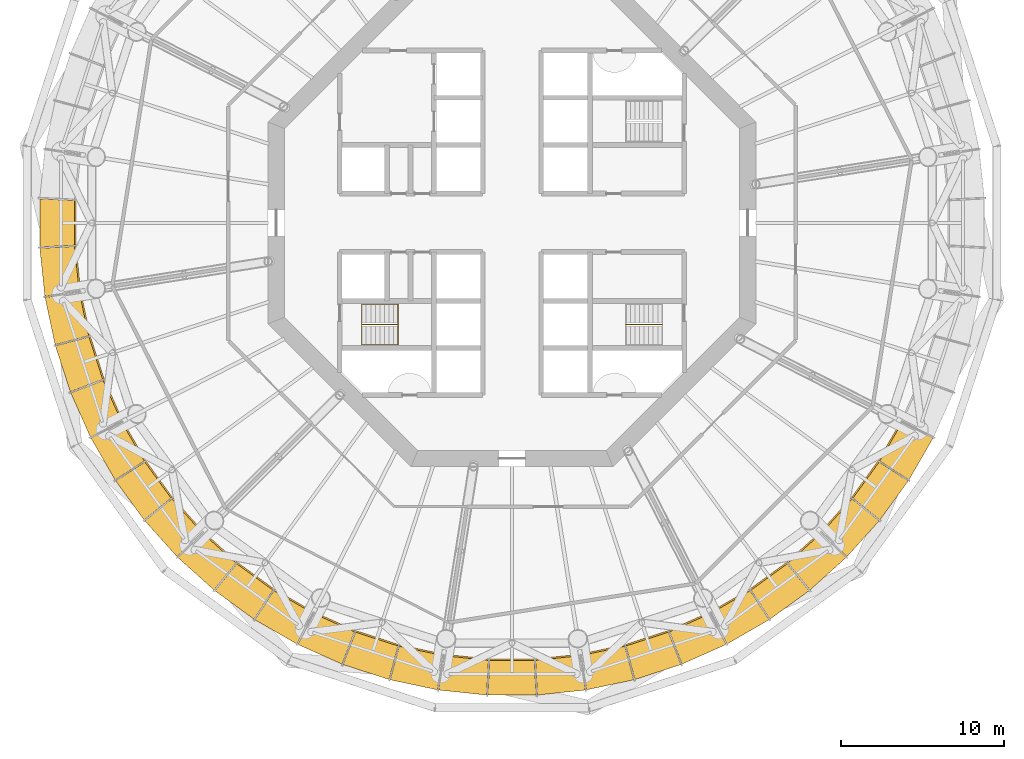
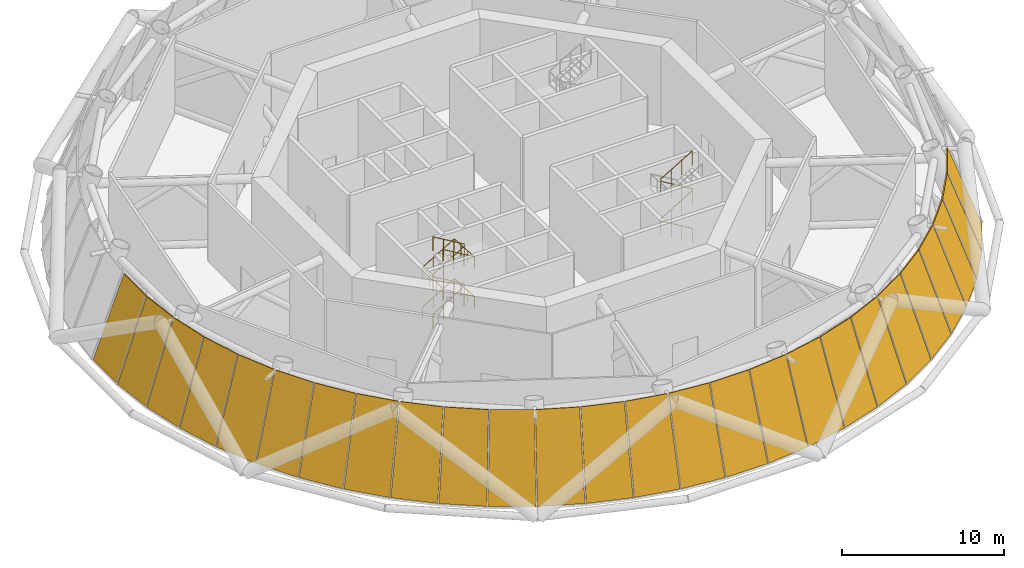
# One storey, part 13 of 15: 26 shading devices, 3 railings.
"""IFC4 building model written with IfcOpenShell, lengths in metres."""

import ifcopenshell
import ifcopenshell.guid

model = None  # the IFC model being written
_history = None  # IfcOwnerHistory: only IFC2X3 demands one
_inside = {}  # id of a spatial element -> (the spatial element, [elements in it])
_under = {}  # id of a project, library or spatial element -> (it, [spatial elements below it])
_declared = {}  # id of a project -> (the project, [libraries it declares])
_typed = {}  # id of a type object -> (the type object, [elements of that type])
_made_of = {}  # id of a material, layer set ... -> (it, [elements and type objects made of it])


def new_model(schema):
    """Start an empty IFC model of exactly this schema.

    Asked for "IFC4X3", IfcOpenShell would pick the latest addendum, in which some entities
    have other attributes; the version numbers below select the first issue.
    IFC2X3 requires an IfcOwnerHistory on every rooted entity: one is made here for all.
    """
    global model, _history
    if schema == "IFC4X3":
        model = ifcopenshell.file(schema_version=(4, 3, 0, 0))
    else:
        model = ifcopenshell.file(schema=schema)
    _inside.clear()
    _under.clear()
    _declared.clear()
    _typed.clear()
    _made_of.clear()
    _history = None
    if model.schema == "IFC2X3":
        org = make("IfcOrganization", Name="unknown")
        user = make(
            "IfcPersonAndOrganization",
            ThePerson=make("IfcPerson", FamilyName="unknown"),
            TheOrganization=org,
        )
        app = make(
            "IfcApplication",
            ApplicationDeveloper=org,
            Version="unknown",
            ApplicationFullName="unknown",
            ApplicationIdentifier="unknown",
        )
        _history = make(
            "IfcOwnerHistory",
            OwningUser=user,
            OwningApplication=app,
            ChangeAction="ADDED",
            CreationDate=0,
        )
    return model


def make(cls, **values):
    """One entity of the class cls with the attributes given. An attribute that is None is left unset."""
    return model.create_entity(
        cls, **{name: value for name, value in values.items() if value is not None}
    )


def rooted(cls, **values):
    """An entity with a GlobalId (a new one), such as an element, a storey or a relation."""
    return make(cls, GlobalId=ifcopenshell.guid.new(), OwnerHistory=_history, **values)


def si_unit(unit_type, name, prefix=None):
    """IfcSIUnit, for example si_unit("LENGTHUNIT", "METRE", prefix="MILLI")."""
    return make("IfcSIUnit", UnitType=unit_type, Prefix=prefix, Name=name)


def assignment(units):
    """IfcUnitAssignment: the units of a project."""
    return None if units is None else make("IfcUnitAssignment", Units=units)


def point(xyz):
    """IfcCartesianPoint."""
    return None if xyz is None else make("IfcCartesianPoint", Coordinates=xyz)


def direction(xyz):
    """IfcDirection."""
    return None if xyz is None else make("IfcDirection", DirectionRatios=xyz)


def frame(location, z_axis=None, x_axis=None):
    """IfcAxis2Placement3D, a coordinate frame: its origin and axes. An axis left out is left unset."""
    return make(
        "IfcAxis2Placement3D",
        Location=point(location),
        Axis=direction(z_axis),
        RefDirection=direction(x_axis),
    )


def frame_2d(location, x_axis=None):
    """IfcAxis2Placement2D, a coordinate frame in the plane: its origin and x axis."""
    return make(
        "IfcAxis2Placement2D", Location=point(location), RefDirection=direction(x_axis)
    )


def origin():
    """The frame at (0, 0, 0) with its axes left unset."""
    return frame((0.0, 0.0, 0.0))


def origin_2d():
    """The frame at (0, 0) in the plane with its x axis left unset."""
    return frame_2d((0.0, 0.0))


def place(relative_to, where):
    """IfcLocalPlacement: puts the frame where relative to a parent placement (None: the world)."""
    return make(
        "IfcLocalPlacement", PlacementRelTo=relative_to, RelativePlacement=where
    )


def context(
    kind, dimensions, precision=None, world=None, true_north=None, identifier=None
):
    """IfcGeometricRepresentationContext, for example the 3D "Model" context."""
    return make(
        "IfcGeometricRepresentationContext",
        ContextIdentifier=identifier,
        ContextType=kind,
        CoordinateSpaceDimension=dimensions,
        Precision=precision,
        WorldCoordinateSystem=world,
        TrueNorth=true_north,
    )


def subcontext(parent, identifier, kind, view, scale=None):
    """IfcGeometricRepresentationSubContext, for example "Body" below "Model"."""
    return make(
        "IfcGeometricRepresentationSubContext",
        ContextIdentifier=identifier,
        ContextType=kind,
        ParentContext=parent,
        TargetScale=scale,
        TargetView=view,
    )


def project(units=None, contexts=None):
    """IfcProject with its units and contexts."""
    return rooted(
        "IfcProject",
        Name="project",
        RepresentationContexts=contexts,
        UnitsInContext=assignment(units),
    )


def spatial(cls, under=None, at=None, **own):
    """A site, building, storey or space (cls), placed at a placement, below another one or the project."""
    s = rooted(cls, ObjectPlacement=at, **own)
    if under is not None:
        _under.setdefault(under.id(), (under, []))[1].append(s)
    return s


def polyline(points):
    """IfcPolyline through the points."""
    return make("IfcPolyline", Points=[point(p) for p in points])


def profile(cls, at=None, kind="AREA", **sizes):
    """A parametric profile (cls). Its sizes go by their IFC names, for example OverallWidth=200.0."""
    return make(cls, ProfileType=kind, Position=at, **sizes)


def circle(**sizes):
    """IfcCircleProfileDef."""
    return profile("IfcCircleProfileDef", **sizes)


def outline(outer, holes=None, kind="AREA"):
    """IfcArbitraryClosedProfileDef: a profile drawn as a closed curve; with holes, ...WithVoids."""
    if holes is None:
        return make("IfcArbitraryClosedProfileDef", ProfileType=kind, OuterCurve=outer)
    return make(
        "IfcArbitraryProfileDefWithVoids",
        ProfileType=kind,
        OuterCurve=outer,
        InnerCurves=holes,
    )


def extrude(swept, where, along, depth):
    """IfcExtrudedAreaSolid: the profile swept, set in the frame where, extruded along a direction by depth."""
    return make(
        "IfcExtrudedAreaSolid",
        SweptArea=swept,
        Position=where,
        ExtrudedDirection=direction(along),
        Depth=depth,
    )


def shape(context_of_items, identifier, shape_type, items):
    """IfcShapeRepresentation: the items that make up one representation, for example the "Body"."""
    return make(
        "IfcShapeRepresentation",
        ContextOfItems=context_of_items,
        RepresentationIdentifier=identifier,
        RepresentationType=shape_type,
        Items=items,
    )


def material(Name=None, Category=None):
    """IfcMaterial."""
    return make("IfcMaterial", Name=Name, Category=Category)


def layer(
    of_material, thickness, ventilated=None, Name=None, Category=None, Priority=None
):
    """IfcMaterialLayer: one layer of a wall or slab, of a material (None: an air gap)."""
    return make(
        "IfcMaterialLayer",
        Material=of_material,
        LayerThickness=thickness,
        IsVentilated=ventilated,
        Name=Name,
        Category=Category,
        Priority=Priority,
    )


def layer_set(layers, Name=None):
    """IfcMaterialLayerSet."""
    return make("IfcMaterialLayerSet", MaterialLayers=layers, LayerSetName=Name)


def made_of(thing, what):
    """Note that an element or type object is made of a material, layer set ...; save() writes the relation."""
    if what is not None:
        _made_of.setdefault(what.id(), (what, []))[1].append(thing)
    return thing


def type_object(cls, material=None, **own):
    """A type object (cls), such as IfcWallType, which elements share."""
    return made_of(rooted(cls, **own), material)


def element(
    cls,
    number,
    at=None,
    inside=None,
    cuts=None,
    type_object=None,
    material=None,
    context=None,
    identifier="Body",
    shape_type=None,
    held_by="IfcProductDefinitionShape",
    body=None,
    shapes=None,
    **own,
):
    """One element of the class cls, such as IfcWall. Its Tag is "e" and its number.

    at: its placement. inside: the storey or other place that contains it. cuts: it is an
    opening in that element (IfcRelVoidsElement). A single representation is given by context,
    identifier, shape_type and body (its items); several are given by shapes. held_by: the class
    of the entity that holds the representations. save() writes the other relations.
    """
    e = rooted(cls, Tag="e%d" % number, ObjectPlacement=at, **own)
    if body is not None:
        shapes = [shape(context, identifier, shape_type, body)]
    if shapes is not None:
        e.Representation = make(held_by, Representations=shapes)
    if inside is not None:
        _inside.setdefault(inside.id(), (inside, []))[1].append(e)
    if cuts is not None:
        rooted(
            "IfcRelVoidsElement", RelatingBuildingElement=cuts, RelatedOpeningElement=e
        )
    if type_object is not None:
        _typed.setdefault(type_object.id(), (type_object, []))[1].append(e)
    return made_of(e, material)


def aggregate(whole, parts):
    """IfcRelAggregates: a whole, such as a stair, and the parts it consists of."""
    return rooted("IfcRelAggregates", RelatingObject=whole, RelatedObjects=parts)


def save(model, path):
    """Write the relations noted so far, then the file.

    IfcRelAggregates (storeys below a building ...), IfcRelContainedInSpatialStructure (elements
    in a storey), IfcRelDefinesByType, IfcRelAssociatesMaterial and IfcRelDeclares: one each for
    every whole, place, type object, material and project.
    """
    for whole, parts in _under.values():
        aggregate(whole, parts)
    for where, things in _inside.values():
        rooted(
            "IfcRelContainedInSpatialStructure",
            RelatedElements=things,
            RelatingStructure=where,
        )
    for kind, things in _typed.values():
        rooted("IfcRelDefinesByType", RelatedObjects=things, RelatingType=kind)
    for what, things in _made_of.values():
        rooted("IfcRelAssociatesMaterial", RelatedObjects=things, RelatingMaterial=what)
    for by, libraries in _declared.values():
        rooted("IfcRelDeclares", RelatingContext=by, RelatedDefinitions=libraries)
    model.write(path)


model = new_model("IFC4")

# Units and contexts
model_context = context("Model", 3, precision=1e-05, world=origin(), true_north=direction((0.0, 1.0)))
body_context = subcontext(model_context, "Body", "Model", "MODEL_VIEW")
ifc_project = project(units=[si_unit("LENGTHUNIT", "METRE"), si_unit("AREAUNIT", "SQUARE_METRE"), si_unit("VOLUMEUNIT", "CUBIC_METRE"), si_unit("PLANEANGLEUNIT", "RADIAN"), si_unit("MASSUNIT", "GRAM", prefix="KILO")], contexts=[model_context])

# Site, building, storey
site_placement = place(None, origin())
site = spatial("IfcSite", under=ifc_project, at=site_placement, CompositionType="ELEMENT")
building_placement = place(site_placement, origin())
building = spatial("IfcBuilding", under=site, at=building_placement, Name="Entoto Ring Tower", CompositionType="ELEMENT")
storey_placement = place(building_placement, frame((0.0, 0.0, 200.0)))
storey = spatial("IfcBuildingStorey", under=building, at=storey_placement, Name="L46", CompositionType="ELEMENT", Elevation=200.0)

# Shading devices
ifc_material_1 = material(Name="Anodised aluminium", Category="aluminium")
ifc_layer = layer(ifc_material_1, 0.10009765625)
ifc_layer_set = layer_set([ifc_layer], Name="Anodised aluminium")
shading_device_type = type_object("IfcShadingDeviceType", Name="Louvre bank 100 mm anodised aluminium", PredefinedType="JALOUSIE", material=ifc_layer_set)
shading_device_1_placement = place(storey_placement, frame((60.94580078125, 81.482666015625, 0.034423828125), z_axis=(-0.938880986804, 0.0, 0.344241910027), x_axis=(0.0, -1.0, 0.0)))
element("IfcShadingDevice", 1, at=shading_device_1_placement, inside=storey, type_object=shading_device_type, Name="LOUVRE L46-28", PredefinedType="JALOUSIE", context=body_context, shape_type="SweptSolid", body=[
    extrude(outline(polyline([(0.0, 0.0), (2.96533203125, 0.0), (2.853515625, 6.194260944536151), (0.11181640625, 6.194260944536151), (0.0, 0.0)])), origin(), (0.0, 0.0, -1.0), 0.10009765625),
])
shading_device_2_placement = place(storey_placement, frame((60.949951171875, 78.4375, 0.034423828125), z_axis=(-0.933735211984, -0.098120918912, 0.344254032907), x_axis=(0.104515488673, -0.994523258802, 1.8172446e-05)))
element("IfcShadingDevice", 2, at=shading_device_2_placement, inside=storey, type_object=shading_device_type, Name="LOUVRE L46-29", PredefinedType="JALOUSIE", context=body_context, shape_type="SweptSolid", body=[
    extrude(outline(polyline([(0.0, 0.0), (2.965229764081625, -1.3877787807814457e-17), (2.8535915460527645, 6.194235038661079), (0.11178809249620496, 6.194345501271873), (0.0, 0.0)])), origin(), (0.0, 0.0, -1.0), 0.10009765625),
])
shading_device_3_placement = place(storey_placement, frame((61.2724609375, 75.409423828125, 0.034423828125), z_axis=(-0.918353027937, -0.195197713351, 0.344275425759), x_axis=(0.207906268773, -0.978148753205, -3.045492e-06)))
element("IfcShadingDevice", 3, at=shading_device_3_placement, inside=storey, type_object=shading_device_type, Name="LOUVRE L46-30", PredefinedType="JALOUSIE", context=body_context, shape_type="SweptSolid", body=[
    extrude(outline(polyline([(0.0, 0.0), (2.96517834880905, 0.0), (2.8533616351703897, 6.194351279673322), (0.11155860989281911, 6.194332767428116), (0.0, 0.0)])), origin(), (0.0, 0.0, -1.0), 0.10009765625),
])
shading_device_4_placement = place(storey_placement, frame((61.90966796875, 72.431884765625, 0.034423828125), z_axis=(-0.892916754879, -0.290154767543, 0.344252639393), x_axis=(0.309039918815, -0.951049067298, -1.3070655e-05)))
element("IfcShadingDevice", 4, at=shading_device_4_placement, inside=storey, type_object=shading_device_type, Name="LOUVRE L46-31", PredefinedType="JALOUSIE", context=body_context, shape_type="SweptSolid", body=[
    extrude(outline(polyline([(0.0, 0.0), (2.965184226481774, 5.551115123125783e-17), (2.853543807552835, 6.194326625666747), (0.11187349579815944, 6.194247177218622), (0.0, 0.0)])), origin(), (0.0, 0.0, -1.0), 0.10009765625),
])
shading_device_5_placement = place(storey_placement, frame((62.854736328125, 69.537109375, 0.034423828125), z_axis=(-0.857707056851, -0.381881465537, 0.344245771082), x_axis=(0.40673899718, -0.913544409489, -8.045852e-06)))
element("IfcShadingDevice", 5, at=shading_device_5_placement, inside=storey, type_object=shading_device_type, Name="LOUVRE L46-32", PredefinedType="JALOUSIE", context=body_context, shape_type="SweptSolid", body=[
    extrude(outline(polyline([(0.0, 0.0), (2.9653270053117966, 0.0), (2.8534716573417667, 6.1942947378489075), (0.11176368955269923, 6.194245830663955), (0.0, 0.0)])), origin(), (0.0, 0.0, -1.0), 0.10009765625),
])
shading_device_6_placement = place(storey_placement, frame((64.09716796875, 66.7568359375, 0.034423828125), z_axis=(-0.81310401164, -0.469410520848, 0.344260989908), x_axis=(0.499970970904, -0.866042163088, -2.616347e-06)))
element("IfcShadingDevice", 6, at=shading_device_6_placement, inside=storey, type_object=shading_device_type, Name="LOUVRE L46-33", PredefinedType="JALOUSIE", context=body_context, shape_type="SweptSolid", body=[
    extrude(outline(polyline([(0.0, 0.0), (2.965052540695958, 5.551115123125783e-17), (2.8534231207169944, 6.194315051785717), (0.11161084536990737, 6.194299148548093), (0.0, 0.0)])), origin(), (0.0, 0.0, -1.0), 0.10009765625),
])
shading_device_7_placement = place(storey_placement, frame((65.623291015625, 64.121826171875, 0.034423828125), z_axis=(-0.759575686394, -0.551849086879, 0.344248982498), x_axis=(0.587776019926, -0.809023701991, 4.016205e-06)))
element("IfcShadingDevice", 7, at=shading_device_7_placement, inside=storey, type_object=shading_device_type, Name="LOUVRE L46-34", PredefinedType="JALOUSIE", context=body_context, shape_type="SweptSolid", body=[
    extrude(outline(polyline([(0.0, 0.0), (2.9652343510788364, -5.551115123125783e-17), (2.8535016415328758, 6.1942658466849725), (0.11163180173182323, 6.194290259750858), (0.0, 0.0)])), origin(), (0.0, 0.0, -1.0), 0.10009765625),
])
shading_device_8_placement = place(storey_placement, frame((67.41650390625, 61.660888671875, 0.034423828125), z_axis=(-0.69774298092, -0.628217704615, 0.344234292575), x_axis=(0.669113295802, -0.74316041157, 7.488122e-06)))
element("IfcShadingDevice", 8, at=shading_device_8_placement, inside=storey, type_object=shading_device_type, Name="LOUVRE L46-35", PredefinedType="JALOUSIE", context=body_context, shape_type="SweptSolid", body=[
    extrude(outline(polyline([(0.0, 0.0), (2.965246491653761, 0.0), (2.8534962501103727, 6.194219760337516), (0.11176429219543894, 6.194265276674592), (0.0, 0.0)])), origin(), (0.0, 0.0, -1.0), 0.10009765625),
])
shading_device_9_placement = place(storey_placement, frame((69.457275390625, 59.400634765625, 0.034423828125), z_axis=(-0.628217704615, -0.69774298092, 0.344234292575), x_axis=(0.74316041157, -0.669113295802, -7.488122e-06)))
element("IfcShadingDevice", 9, at=shading_device_9_placement, inside=storey, type_object=shading_device_type, Name="LOUVRE L46-36", PredefinedType="JALOUSIE", context=body_context, shape_type="SweptSolid", body=[
    extrude(outline(polyline([(0.0, 0.0), (2.965246491653761, 0.0), (2.853482199458322, 6.194265276674591), (0.11175024154338818, 6.194219760337516), (0.0, 0.0)])), origin(), (0.0, 0.0, -1.0), 0.10009765625),
])
shading_device_10_placement = place(storey_placement, frame((71.722900390625, 57.3662109375, 0.034423828125), z_axis=(-0.551849086879, -0.759575686394, 0.344248982498), x_axis=(0.809023701991, -0.587776019926, -4.016205e-06)))
element("IfcShadingDevice", 10, at=shading_device_10_placement, inside=storey, type_object=shading_device_type, Name="LOUVRE L46-37", PredefinedType="JALOUSIE", context=body_context, shape_type="SweptSolid", body=[
    extrude(outline(polyline([(0.0, 0.0), (2.9652343510788364, 5.551115123125783e-17), (2.853602549347013, 6.194290259750858), (0.11173270954596044, 6.1942658466849725), (0.0, 0.0)])), origin(), (0.0, 0.0, -1.0), 0.10009765625),
])
shading_device_11_placement = place(storey_placement, frame((74.18896484375, 55.57958984375, 0.034423828125), z_axis=(-0.469410520848, -0.81310401164, 0.344260989908), x_axis=(0.866042163088, -0.499970970904, 2.616347e-06)))
element("IfcShadingDevice", 11, at=shading_device_11_placement, inside=storey, type_object=shading_device_type, Name="LOUVRE L46-38", PredefinedType="JALOUSIE", context=body_context, shape_type="SweptSolid", body=[
    extrude(outline(polyline([(0.0, 0.0), (2.965052540695958, -5.551115123125783e-17), (2.85344169532605, 6.194299148548093), (0.11162941997896283, 6.194315051785717), (0.0, 0.0)])), origin(), (0.0, 0.0, -1.0), 0.10009765625),
])
shading_device_12_placement = place(storey_placement, frame((76.828125, 54.060791015625, 0.034423828125), z_axis=(-0.381881465537, -0.857707056851, 0.344245771082), x_axis=(0.913544409489, -0.40673899718, 8.045852e-06)))
element("IfcShadingDevice", 12, at=shading_device_12_placement, inside=storey, type_object=shading_device_type, Name="LOUVRE L46-39", PredefinedType="JALOUSIE", context=body_context, shape_type="SweptSolid", body=[
    extrude(outline(polyline([(0.0, 0.0), (2.9653270053117966, 0.0), (2.853563315759097, 6.194245830663955), (0.11185534797003015, 6.194294737848908), (0.0, 0.0)])), origin(), (0.0, 0.0, -1.0), 0.10009765625),
])
shading_device_13_placement = place(storey_placement, frame((79.61181640625, 52.825927734375, 0.034423828125), z_axis=(-0.290154767543, -0.892916754879, 0.344252639393), x_axis=(0.951049067298, -0.309039918815, 1.3070655e-05)))
element("IfcShadingDevice", 13, at=shading_device_13_placement, inside=storey, type_object=shading_device_type, Name="LOUVRE L46-40", PredefinedType="JALOUSIE", context=body_context, shape_type="SweptSolid", body=[
    extrude(outline(polyline([(0.0, 0.0), (2.965184226481774, -5.551115123125783e-17), (2.8533107306836145, 6.194247177218622), (0.11164041892893914, 6.194326625666746), (0.0, 0.0)])), origin(), (0.0, 0.0, -1.0), 0.10009765625),
])
shading_device_14_placement = place(storey_placement, frame((82.509033203125, 51.888916015625, 0.034423828125), z_axis=(-0.195197713351, -0.918353027937, 0.344275425759), x_axis=(0.978148753205, -0.207906268773, 3.045492e-06)))
element("IfcShadingDevice", 14, at=shading_device_14_placement, inside=storey, type_object=shading_device_type, Name="LOUVRE L46-41", PredefinedType="JALOUSIE", context=body_context, shape_type="SweptSolid", body=[
    extrude(outline(polyline([(0.0, 0.0), (2.96517834880905, 0.0), (2.853619738916231, 6.194332767428115), (0.11181671363866076, 6.194351279673322), (0.0, 0.0)])), origin(), (0.0, 0.0, -1.0), 0.10009765625),
])
shading_device_15_placement = place(storey_placement, frame((85.488525390625, 51.260009765625, 0.034423828125), z_axis=(-0.098120918912, -0.933735211984, 0.344254032907), x_axis=(0.994523258802, -0.104515488673, -1.8172446e-05)))
element("IfcShadingDevice", 15, at=shading_device_15_placement, inside=storey, type_object=shading_device_type, Name="LOUVRE L46-42", PredefinedType="JALOUSIE", context=body_context, shape_type="SweptSolid", body=[
    extrude(outline(polyline([(0.0, 0.0), (2.965229764081625, 1.3877787807814457e-17), (2.8534416715854203, 6.194345501271873), (0.11163821802886066, 6.194235038661079), (0.0, 0.0)])), origin(), (0.0, 0.0, -1.0), 0.10009765625),
])
shading_device_16_placement = place(storey_placement, frame((88.517333984375, 50.94580078125, 0.034423828125), z_axis=(0.0, -0.938880986804, 0.344241910027), x_axis=(1.0, 0.0, 0.0)))
element("IfcShadingDevice", 16, at=shading_device_16_placement, inside=storey, type_object=shading_device_type, Name="LOUVRE L46-43", PredefinedType="JALOUSIE", context=body_context, shape_type="SweptSolid", body=[
    extrude(outline(polyline([(0.0, 0.0), (2.96533203125, 0.0), (2.853515625, 6.194260944536151), (0.11181640625, 6.194260944536151), (0.0, 0.0)])), origin(), (0.0, 0.0, -1.0), 0.10009765625),
])
shading_device_17_placement = place(storey_placement, frame((91.5625, 50.949951171875, 0.034423828125), z_axis=(0.098120918912, -0.933735211984, 0.344254032907), x_axis=(0.994523258802, 0.104515488673, 1.8172446e-05)))
element("IfcShadingDevice", 17, at=shading_device_17_placement, inside=storey, type_object=shading_device_type, Name="LOUVRE L46-44", PredefinedType="JALOUSIE", context=body_context, shape_type="SweptSolid", body=[
    extrude(outline(polyline([(0.0, 0.0), (2.965229764081625, -1.3877787807814457e-17), (2.8535915460527645, 6.194235038661079), (0.11178809249620496, 6.194345501271873), (0.0, 0.0)])), origin(), (0.0, 0.0, -1.0), 0.10009765625),
])
shading_device_18_placement = place(storey_placement, frame((94.590576171875, 51.2724609375, 0.034423828125), z_axis=(0.195197713351, -0.918353027937, 0.344275425759), x_axis=(0.978148753205, 0.207906268773, -3.045492e-06)))
element("IfcShadingDevice", 18, at=shading_device_18_placement, inside=storey, type_object=shading_device_type, Name="LOUVRE L46-45", PredefinedType="JALOUSIE", context=body_context, shape_type="SweptSolid", body=[
    extrude(outline(polyline([(0.0, 0.0), (2.96517834880905, 0.0), (2.8533616351703897, 6.194351279673322), (0.11155860989281911, 6.194332767428116), (0.0, 0.0)])), origin(), (0.0, 0.0, -1.0), 0.10009765625),
])
shading_device_19_placement = place(storey_placement, frame((97.568115234375, 51.90966796875, 0.034423828125), z_axis=(0.290154767543, -0.892916754879, 0.344252639393), x_axis=(0.951049067298, 0.309039918815, -1.3070655e-05)))
element("IfcShadingDevice", 19, at=shading_device_19_placement, inside=storey, type_object=shading_device_type, Name="LOUVRE L46-46", PredefinedType="JALOUSIE", context=body_context, shape_type="SweptSolid", body=[
    extrude(outline(polyline([(0.0, 0.0), (2.965184226481774, 5.551115123125783e-17), (2.853543807552835, 6.194326625666747), (0.11187349579815944, 6.194247177218622), (0.0, 0.0)])), origin(), (0.0, 0.0, -1.0), 0.10009765625),
])
shading_device_20_placement = place(storey_placement, frame((100.462890625, 52.854736328125, 0.034423828125), z_axis=(0.381881465537, -0.857707056851, 0.344245771082), x_axis=(0.913544409489, 0.40673899718, -8.045852e-06)))
element("IfcShadingDevice", 20, at=shading_device_20_placement, inside=storey, type_object=shading_device_type, Name="LOUVRE L46-47", PredefinedType="JALOUSIE", context=body_context, shape_type="SweptSolid", body=[
    extrude(outline(polyline([(0.0, 0.0), (2.9653270053117966, 0.0), (2.8534716573417667, 6.1942947378489075), (0.11176368955269923, 6.194245830663955), (0.0, 0.0)])), origin(), (0.0, 0.0, -1.0), 0.10009765625),
])
shading_device_21_placement = place(storey_placement, frame((103.2431640625, 54.09716796875, 0.034423828125), z_axis=(0.469410520848, -0.81310401164, 0.344260989908), x_axis=(0.866042163088, 0.499970970904, -2.616347e-06)))
element("IfcShadingDevice", 21, at=shading_device_21_placement, inside=storey, type_object=shading_device_type, Name="LOUVRE L46-48", PredefinedType="JALOUSIE", context=body_context, shape_type="SweptSolid", body=[
    extrude(outline(polyline([(0.0, 0.0), (2.965052540695958, 5.551115123125783e-17), (2.8534231207169944, 6.194315051785717), (0.11161084536990737, 6.194299148548093), (0.0, 0.0)])), origin(), (0.0, 0.0, -1.0), 0.10009765625),
])
shading_device_22_placement = place(storey_placement, frame((105.878173828125, 55.623291015625, 0.034423828125), z_axis=(0.551849086879, -0.759575686394, 0.344248982498), x_axis=(0.809023701991, 0.587776019926, 4.016205e-06)))
element("IfcShadingDevice", 22, at=shading_device_22_placement, inside=storey, type_object=shading_device_type, Name="LOUVRE L46-49", PredefinedType="JALOUSIE", context=body_context, shape_type="SweptSolid", body=[
    extrude(outline(polyline([(0.0, 0.0), (2.9652343510788364, -5.551115123125783e-17), (2.8535016415328758, 6.1942658466849725), (0.11163180173182323, 6.194290259750858), (0.0, 0.0)])), origin(), (0.0, 0.0, -1.0), 0.10009765625),
])
shading_device_23_placement = place(storey_placement, frame((108.339111328125, 57.41650390625, 0.034423828125), z_axis=(0.628217704615, -0.69774298092, 0.344234292575), x_axis=(0.74316041157, 0.669113295802, 7.488122e-06)))
element("IfcShadingDevice", 23, at=shading_device_23_placement, inside=storey, type_object=shading_device_type, Name="LOUVRE L46-50", PredefinedType="JALOUSIE", context=body_context, shape_type="SweptSolid", body=[
    extrude(outline(polyline([(0.0, 0.0), (2.965246491653761, 0.0), (2.8534962501103727, 6.194219760337516), (0.11176429219543894, 6.194265276674592), (0.0, 0.0)])), origin(), (0.0, 0.0, -1.0), 0.10009765625),
])
shading_device_24_placement = place(storey_placement, frame((110.599365234375, 59.457275390625, 0.034423828125), z_axis=(0.69774298092, -0.628217704615, 0.344234292575), x_axis=(0.669113295802, 0.74316041157, -7.488122e-06)))
element("IfcShadingDevice", 24, at=shading_device_24_placement, inside=storey, type_object=shading_device_type, Name="LOUVRE L46-51", PredefinedType="JALOUSIE", context=body_context, shape_type="SweptSolid", body=[
    extrude(outline(polyline([(0.0, 0.0), (2.965246491653761, 0.0), (2.853482199458322, 6.194265276674591), (0.11175024154338818, 6.194219760337516), (0.0, 0.0)])), origin(), (0.0, 0.0, -1.0), 0.10009765625),
])
shading_device_25_placement = place(storey_placement, frame((112.6337890625, 61.722900390625, 0.034423828125), z_axis=(0.759575686394, -0.551849086879, 0.344248982498), x_axis=(0.587776019926, 0.809023701991, -4.016205e-06)))
element("IfcShadingDevice", 25, at=shading_device_25_placement, inside=storey, type_object=shading_device_type, Name="LOUVRE L46-52", PredefinedType="JALOUSIE", context=body_context, shape_type="SweptSolid", body=[
    extrude(outline(polyline([(0.0, 0.0), (2.9652343510788364, 5.551115123125783e-17), (2.853602549347013, 6.194290259750858), (0.11173270954596044, 6.1942658466849725), (0.0, 0.0)])), origin(), (0.0, 0.0, -1.0), 0.10009765625),
])
shading_device_26_placement = place(storey_placement, frame((114.42041015625, 64.18896484375, 0.034423828125), z_axis=(0.81310401164, -0.469410520848, 0.344260989908), x_axis=(0.499970970904, 0.866042163088, 2.616347e-06)))
element("IfcShadingDevice", 26, at=shading_device_26_placement, inside=storey, type_object=shading_device_type, Name="LOUVRE L46-53", PredefinedType="JALOUSIE", context=body_context, shape_type="SweptSolid", body=[
    extrude(outline(polyline([(0.0, 0.0), (2.965052540695958, -5.551115123125783e-17), (2.85344169532605, 6.194299148548093), (0.11162941997896283, 6.194315051785717), (0.0, 0.0)])), origin(), (0.0, 0.0, -1.0), 0.10009765625),
])

# Railings
ifc_material_2 = material(Name="Steel S275", Category="steel")
railing_type_1 = type_object("IfcRailingType", Name="Stair guard 1100 mm steel", PredefinedType="GUARDRAIL", material=ifc_material_2)
railing_1_placement = place(storey_placement, frame((80.75, 73.75, 0.166748046875)))
element("IfcRailing", 27, at=railing_1_placement, inside=storey, type_object=railing_type_1, Name="Guard ST2", PredefinedType="GUARDRAIL", context=body_context, shape_type="SweptSolid", body=[
    extrude(circle(Radius=0.02392578125, at=origin_2d()), frame((0.0, 0.0, 1.076171875), z_axis=(0.859305625298, 0.0, 0.511462454469), x_axis=(0.0, 1.0, 0.0)), (0.0, 0.0, 1.0), 2.606689453125),
    extrude(circle(Radius=0.02392578125, at=origin_2d()), frame((2.239990234375, 0.0, 2.4091796875), z_axis=(0.0, 0.0, 1.0), x_axis=(1.0, 0.0, 0.0)), (0.0, 0.0, 1.0), 0.166748046875),
    extrude(circle(Radius=0.02392578125, at=origin_2d()), frame((2.239990234375, 0.0, 2.576171875), z_axis=(-0.859305625298, 0.0, 0.511462454469), x_axis=(0.0, -1.0, 0.0)), (0.0, 0.0, 1.0), 2.606689453125),
    extrude(circle(Radius=0.02392578125, at=origin_2d()), frame((0.0, 0.0, 3.9091796875), z_axis=(0.0, 0.0, 1.0), x_axis=(1.0, 0.0, 0.0)), (0.0, 0.0, 1.0), 0.166748046875),
    extrude(circle(Radius=0.02392578125, at=origin_2d()), frame((0.0, 0.0, 4.076171875), z_axis=(0.859305625298, 0.0, 0.511462454469), x_axis=(0.0, 1.0, 0.0)), (0.0, 0.0, 1.0), 2.606689453125),
    extrude(circle(Radius=0.02392578125, at=origin_2d()), frame((2.239990234375, 0.0, 5.4091796875), z_axis=(0.0, 0.0, 1.0), x_axis=(1.0, 0.0, 0.0)), (0.0, 0.0, 1.0), 0.166748046875),
    extrude(circle(Radius=0.02392578125, at=origin_2d()), frame((2.239990234375, 0.0, 5.576171875), z_axis=(-0.859305625298, 0.0, 0.511462454469), x_axis=(0.0, -1.0, 0.0)), (0.0, 0.0, 1.0), 2.606689453125),
    extrude(circle(Radius=0.02099609375, at=origin_2d()), origin(), (0.0, 0.0, 1.0), 1.052001953125),
    extrude(circle(Radius=0.02099609375, at=origin_2d()), frame((0.74658203125, 0.0, 0.4443359375)), (0.0, 0.0, 1.0), 1.052001953125),
    extrude(circle(Radius=0.02099609375, at=origin_2d()), frame((1.493408203125, 0.0, 0.888916015625)), (0.0, 0.0, 1.0), 1.052001953125),
    extrude(circle(Radius=0.02099609375, at=origin_2d()), frame((2.239990234375, 0.0, 1.333251953125)), (0.0, 0.0, 1.0), 1.052001953125),
    extrude(circle(Radius=0.02099609375, at=origin_2d()), frame((2.239990234375, 0.0, 1.5)), (0.0, 0.0, 1.0), 1.052001953125),
    extrude(circle(Radius=0.02099609375, at=origin_2d()), frame((1.493408203125, 0.0, 1.9443359375)), (0.0, 0.0, 1.0), 1.052001953125),
    extrude(circle(Radius=0.02099609375, at=origin_2d()), frame((0.74658203125, 0.0, 2.388916015625)), (0.0, 0.0, 1.0), 1.052001953125),
    extrude(circle(Radius=0.02099609375, at=origin_2d()), frame((0.0, 0.0, 2.833251953125)), (0.0, 0.0, 1.0), 1.052001953125),
    extrude(circle(Radius=0.02099609375, at=origin_2d()), frame((0.0, 0.0, 3.0)), (0.0, 0.0, 1.0), 1.052001953125),
    extrude(circle(Radius=0.02099609375, at=origin_2d()), frame((0.74658203125, 0.0, 3.4443359375)), (0.0, 0.0, 1.0), 1.052001953125),
    extrude(circle(Radius=0.02099609375, at=origin_2d()), frame((1.493408203125, 0.0, 3.888916015625)), (0.0, 0.0, 1.0), 1.052001953125),
    extrude(circle(Radius=0.02099609375, at=origin_2d()), frame((2.239990234375, 0.0, 4.333251953125)), (0.0, 0.0, 1.0), 1.052001953125),
    extrude(circle(Radius=0.02099609375, at=origin_2d()), frame((2.239990234375, 0.0, 4.5)), (0.0, 0.0, 1.0), 1.052001953125),
    extrude(circle(Radius=0.02099609375, at=origin_2d()), frame((1.493408203125, 0.0, 4.9443359375)), (0.0, 0.0, 1.0), 1.052001953125),
    extrude(circle(Radius=0.02099609375, at=origin_2d()), frame((0.74658203125, 0.0, 5.388916015625)), (0.0, 0.0, 1.0), 1.052001953125),
    extrude(circle(Radius=0.02099609375, at=origin_2d()), frame((0.0, 0.0, 5.833251953125)), (0.0, 0.0, 1.0), 1.052001953125),
])
railing_2_placement = place(storey_placement, frame((99.25, 73.75, 0.166748046875)))
element("IfcRailing", 28, at=railing_2_placement, inside=storey, type_object=railing_type_1, Name="Guard ST3", PredefinedType="GUARDRAIL", context=body_context, shape_type="SweptSolid", body=[
    extrude(circle(Radius=0.02392578125, at=origin_2d()), frame((0.0, 0.0, 1.076171875), z_axis=(-0.859305625298, 0.0, 0.511462454469), x_axis=(0.0, -1.0, 0.0)), (0.0, 0.0, 1.0), 2.606689453125),
    extrude(circle(Radius=0.02392578125, at=origin_2d()), frame((-2.239990234375, 0.0, 2.4091796875), z_axis=(0.0, 0.0, 1.0), x_axis=(1.0, 0.0, 0.0)), (0.0, 0.0, 1.0), 0.166748046875),
    extrude(circle(Radius=0.02392578125, at=origin_2d()), frame((-2.239990234375, 0.0, 2.576171875), z_axis=(0.859305625298, 0.0, 0.511462454469), x_axis=(0.0, 1.0, 0.0)), (0.0, 0.0, 1.0), 2.606689453125),
    extrude(circle(Radius=0.02392578125, at=origin_2d()), frame((0.0, 0.0, 3.9091796875), z_axis=(0.0, 0.0, 1.0), x_axis=(1.0, 0.0, 0.0)), (0.0, 0.0, 1.0), 0.166748046875),
    extrude(circle(Radius=0.02392578125, at=origin_2d()), frame((0.0, 0.0, 4.076171875), z_axis=(-0.859305625298, 0.0, 0.511462454469), x_axis=(0.0, -1.0, 0.0)), (0.0, 0.0, 1.0), 2.606689453125),
    extrude(circle(Radius=0.02392578125, at=origin_2d()), frame((-2.239990234375, 0.0, 5.4091796875), z_axis=(0.0, 0.0, 1.0), x_axis=(1.0, 0.0, 0.0)), (0.0, 0.0, 1.0), 0.166748046875),
    extrude(circle(Radius=0.02392578125, at=origin_2d()), frame((-2.239990234375, 0.0, 5.576171875), z_axis=(0.859305625298, 0.0, 0.511462454469), x_axis=(0.0, 1.0, 0.0)), (0.0, 0.0, 1.0), 2.606689453125),
    extrude(circle(Radius=0.02099609375, at=origin_2d()), origin(), (0.0, 0.0, 1.0), 1.052001953125),
    extrude(circle(Radius=0.02099609375, at=origin_2d()), frame((-0.74658203125, 0.0, 0.4443359375)), (0.0, 0.0, 1.0), 1.052001953125),
    extrude(circle(Radius=0.02099609375, at=origin_2d()), frame((-1.493408203125, 0.0, 0.888916015625)), (0.0, 0.0, 1.0), 1.052001953125),
    extrude(circle(Radius=0.02099609375, at=origin_2d()), frame((-2.239990234375, 0.0, 1.333251953125)), (0.0, 0.0, 1.0), 1.052001953125),
    extrude(circle(Radius=0.02099609375, at=origin_2d()), frame((-2.239990234375, 0.0, 1.5)), (0.0, 0.0, 1.0), 1.052001953125),
    extrude(circle(Radius=0.02099609375, at=origin_2d()), frame((-1.493408203125, 0.0, 1.9443359375)), (0.0, 0.0, 1.0), 1.052001953125),
    extrude(circle(Radius=0.02099609375, at=origin_2d()), frame((-0.74658203125, 0.0, 2.388916015625)), (0.0, 0.0, 1.0), 1.052001953125),
    extrude(circle(Radius=0.02099609375, at=origin_2d()), frame((0.0, 0.0, 2.833251953125)), (0.0, 0.0, 1.0), 1.052001953125),
    extrude(circle(Radius=0.02099609375, at=origin_2d()), frame((0.0, 0.0, 3.0)), (0.0, 0.0, 1.0), 1.052001953125),
    extrude(circle(Radius=0.02099609375, at=origin_2d()), frame((-0.74658203125, 0.0, 3.4443359375)), (0.0, 0.0, 1.0), 1.052001953125),
    extrude(circle(Radius=0.02099609375, at=origin_2d()), frame((-1.493408203125, 0.0, 3.888916015625)), (0.0, 0.0, 1.0), 1.052001953125),
    extrude(circle(Radius=0.02099609375, at=origin_2d()), frame((-2.239990234375, 0.0, 4.333251953125)), (0.0, 0.0, 1.0), 1.052001953125),
    extrude(circle(Radius=0.02099609375, at=origin_2d()), frame((-2.239990234375, 0.0, 4.5)), (0.0, 0.0, 1.0), 1.052001953125),
    extrude(circle(Radius=0.02099609375, at=origin_2d()), frame((-1.493408203125, 0.0, 4.9443359375)), (0.0, 0.0, 1.0), 1.052001953125),
    extrude(circle(Radius=0.02099609375, at=origin_2d()), frame((-0.74658203125, 0.0, 5.388916015625)), (0.0, 0.0, 1.0), 1.052001953125),
    extrude(circle(Radius=0.02099609375, at=origin_2d()), frame((0.0, 0.0, 5.833251953125)), (0.0, 0.0, 1.0), 1.052001953125),
])
ifc_material_3 = material(Name="Steel S275", Category="steel")
railing_type_2 = type_object("IfcRailingType", Name="Stair handrail 900 mm steel", PredefinedType="HANDRAIL", material=ifc_material_3)
railing_3_placement = place(storey_placement, frame((80.75, 75.0, 0.166748046875)))
element("IfcRailing", 29, at=railing_3_placement, inside=storey, type_object=railing_type_2, Name="Handrail ST2", PredefinedType="HANDRAIL", context=body_context, shape_type="SweptSolid", body=[
    extrude(circle(Radius=0.02392578125, at=origin_2d()), frame((0.0, 0.0, 0.8759765625), z_axis=(0.859305625298, 0.0, 0.511462454469), x_axis=(0.0, 1.0, 0.0)), (0.0, 0.0, 1.0), 2.606689453125),
    extrude(circle(Radius=0.02392578125, at=origin_2d()), frame((2.239990234375, 0.0, 2.208984375), z_axis=(0.0, -0.997783001586, 0.066551346688), x_axis=(1.0, 0.0, 0.0)), (0.0, 0.0, 1.0), 2.505615234375),
    extrude(circle(Radius=0.02392578125, at=origin_2d()), frame((2.239990234375, -2.5, 2.3759765625), z_axis=(-0.859305625298, 0.0, 0.511462454469), x_axis=(0.0, -1.0, 0.0)), (0.0, 0.0, 1.0), 2.606689453125),
    extrude(circle(Radius=0.02392578125, at=origin_2d()), frame((0.0, -2.5, 3.708984375), z_axis=(0.0, 0.997783001586, 0.066551346688), x_axis=(-1.0, 0.0, 0.0)), (0.0, 0.0, 1.0), 2.505615234375),
    extrude(circle(Radius=0.02392578125, at=origin_2d()), frame((0.0, 0.0, 3.8759765625), z_axis=(0.859305625298, 0.0, 0.511462454469), x_axis=(0.0, 1.0, 0.0)), (0.0, 0.0, 1.0), 2.606689453125),
    extrude(circle(Radius=0.02392578125, at=origin_2d()), frame((2.239990234375, 0.0, 5.208984375), z_axis=(0.0, -0.997783001586, 0.066551346688), x_axis=(1.0, 0.0, 0.0)), (0.0, 0.0, 1.0), 2.505615234375),
    extrude(circle(Radius=0.02392578125, at=origin_2d()), frame((2.239990234375, -2.5, 5.3759765625), z_axis=(-0.859305625298, 0.0, 0.511462454469), x_axis=(0.0, -1.0, 0.0)), (0.0, 0.0, 1.0), 2.606689453125),
    extrude(circle(Radius=0.02099609375, at=origin_2d()), origin(), (0.0, 0.0, 1.0), 0.851806640625),
    extrude(circle(Radius=0.02099609375, at=origin_2d()), frame((0.74658203125, 0.0, 0.4443359375)), (0.0, 0.0, 1.0), 0.851806640625),
    extrude(circle(Radius=0.02099609375, at=origin_2d()), frame((1.493408203125, 0.0, 0.888916015625)), (0.0, 0.0, 1.0), 0.851806640625),
    extrude(circle(Radius=0.02099609375, at=origin_2d()), frame((2.239990234375, 0.0, 1.333251953125)), (0.0, 0.0, 1.0), 0.851806640625),
    extrude(circle(Radius=0.02099609375, at=origin_2d()), frame((2.239990234375, -0.833251953125, 1.388916015625)), (0.0, 0.0, 1.0), 0.851806640625),
    extrude(circle(Radius=0.02099609375, at=origin_2d()), frame((2.239990234375, -1.666748046875, 1.4443359375)), (0.0, 0.0, 1.0), 0.851806640625),
    extrude(circle(Radius=0.02099609375, at=origin_2d()), frame((2.239990234375, -2.5, 1.5)), (0.0, 0.0, 1.0), 0.851806640625),
    extrude(circle(Radius=0.02099609375, at=origin_2d()), frame((1.493408203125, -2.5, 1.9443359375)), (0.0, 0.0, 1.0), 0.851806640625),
    extrude(circle(Radius=0.02099609375, at=origin_2d()), frame((0.74658203125, -2.5, 2.388916015625)), (0.0, 0.0, 1.0), 0.851806640625),
    extrude(circle(Radius=0.02099609375, at=origin_2d()), frame((0.0, -2.5, 2.833251953125)), (0.0, 0.0, 1.0), 0.851806640625),
    extrude(circle(Radius=0.02099609375, at=origin_2d()), frame((0.0, -1.666748046875, 2.888916015625)), (0.0, 0.0, 1.0), 0.851806640625),
    extrude(circle(Radius=0.02099609375, at=origin_2d()), frame((0.0, -0.833251953125, 2.9443359375)), (0.0, 0.0, 1.0), 0.851806640625),
    extrude(circle(Radius=0.02099609375, at=origin_2d()), frame((0.0, 0.0, 3.0)), (0.0, 0.0, 1.0), 0.851806640625),
    extrude(circle(Radius=0.02099609375, at=origin_2d()), frame((0.74658203125, 0.0, 3.4443359375)), (0.0, 0.0, 1.0), 0.851806640625),
    extrude(circle(Radius=0.02099609375, at=origin_2d()), frame((1.493408203125, 0.0, 3.888916015625)), (0.0, 0.0, 1.0), 0.851806640625),
    extrude(circle(Radius=0.02099609375, at=origin_2d()), frame((2.239990234375, 0.0, 4.333251953125)), (0.0, 0.0, 1.0), 0.851806640625),
    extrude(circle(Radius=0.02099609375, at=origin_2d()), frame((2.239990234375, -0.833251953125, 4.388916015625)), (0.0, 0.0, 1.0), 0.851806640625),
    extrude(circle(Radius=0.02099609375, at=origin_2d()), frame((2.239990234375, -1.666748046875, 4.4443359375)), (0.0, 0.0, 1.0), 0.851806640625),
    extrude(circle(Radius=0.02099609375, at=origin_2d()), frame((2.239990234375, -2.5, 4.5)), (0.0, 0.0, 1.0), 0.851806640625),
    extrude(circle(Radius=0.02099609375, at=origin_2d()), frame((1.493408203125, -2.5, 4.9443359375)), (0.0, 0.0, 1.0), 0.851806640625),
    extrude(circle(Radius=0.02099609375, at=origin_2d()), frame((0.74658203125, -2.5, 5.388916015625)), (0.0, 0.0, 1.0), 0.851806640625),
    extrude(circle(Radius=0.02099609375, at=origin_2d()), frame((0.0, -2.5, 5.833251953125)), (0.0, 0.0, 1.0), 0.851806640625),
])

save(model, "model.ifc")
